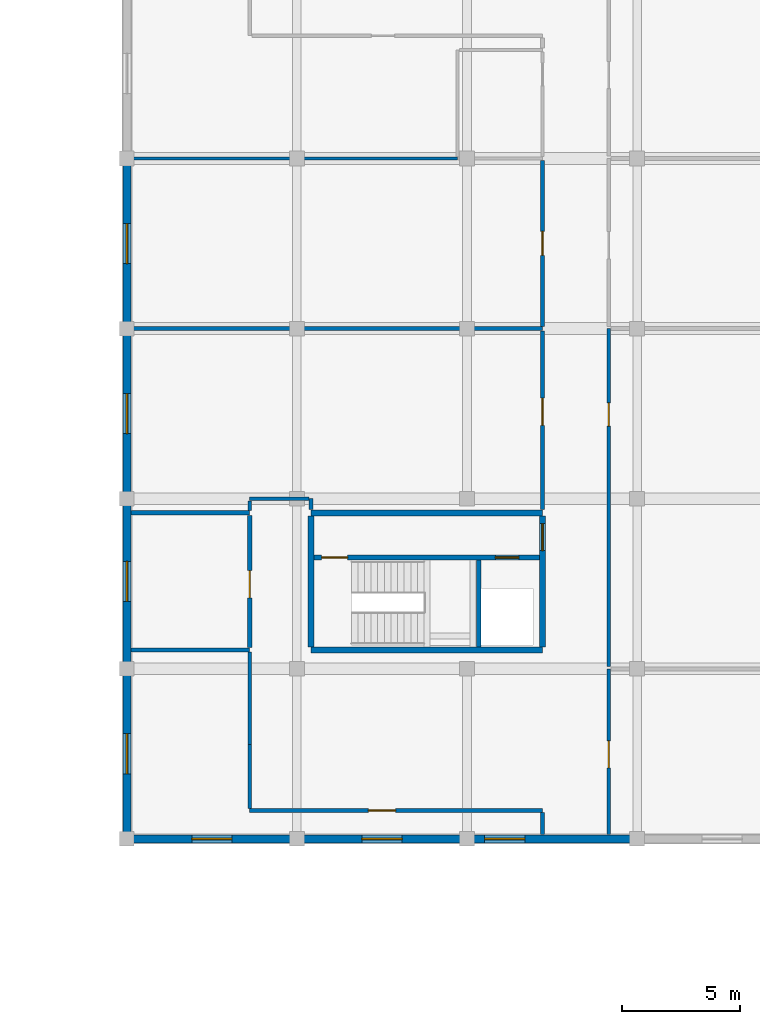
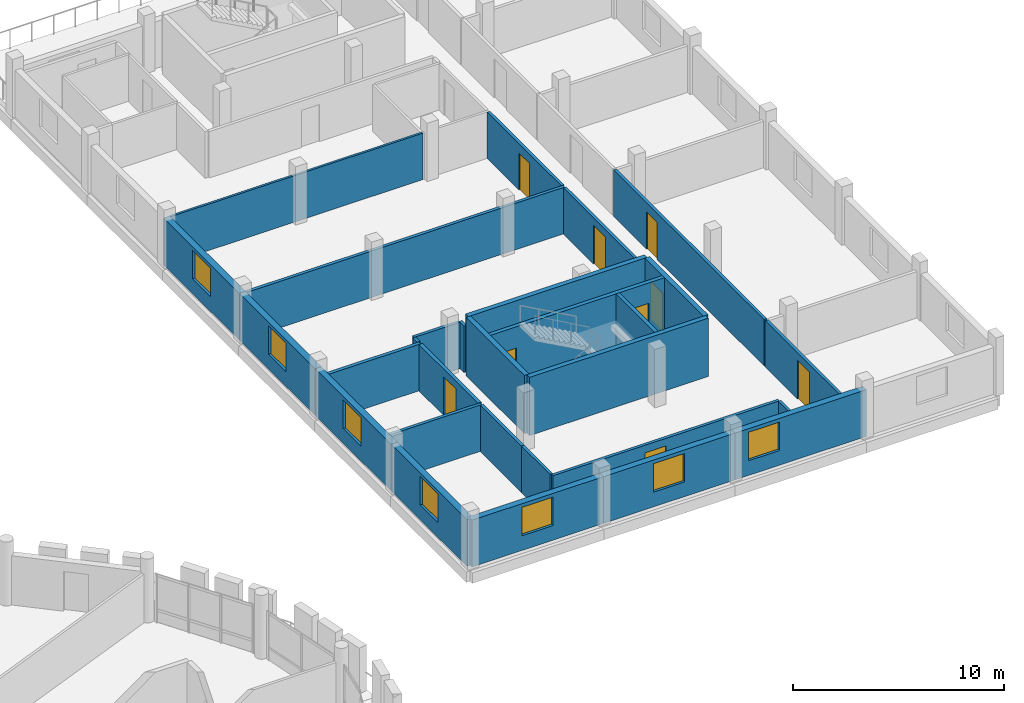
# One storey, part 75 of 84: 29 walls, 9 doors, 7 windows, 16 openings.
"""IFC4 building model written with IfcOpenShell, lengths in metres."""

from ifc_helpers import new_model, si_unit, direction, frame, frame_2d, origin, place, context, subcontext, project, spatial, rectangle, extrude, material, layer, layer_set, type_object, element, fill, save


model = new_model("IFC4")

# Units and contexts
model_context = context("Model", 3, precision=1e-05, world=origin(), true_north=direction((0.0, 1.0)))
body_context = subcontext(model_context, "Body", "Model", "MODEL_VIEW")
ifc_project = project(units=[si_unit("LENGTHUNIT", "METRE"), si_unit("AREAUNIT", "SQUARE_METRE"), si_unit("VOLUMEUNIT", "CUBIC_METRE"), si_unit("PLANEANGLEUNIT", "RADIAN"), si_unit("MASSUNIT", "GRAM", prefix="KILO")], contexts=[model_context])

# Site, building, storey
site_placement = place(None, origin())
site = spatial("IfcSite", under=ifc_project, at=site_placement, CompositionType="ELEMENT")
building_placement = place(site_placement, origin())
building = spatial("IfcBuilding", under=site, at=building_placement, Name="Zornivar Specialist Clinic", CompositionType="ELEMENT")
storey_placement = place(building_placement, frame((0.0, 0.0, 12.300048828125)))
storey = spatial("IfcBuildingStorey", under=building, at=storey_placement, Name="L03", CompositionType="ELEMENT", Elevation=12.300048828125)

# Wall, opening, window
ifc_material_1 = material(Name="Masonry Laboratory Terracotta and Stone Cavity Wall", Category="masonry")
ifc_layer_1 = layer(ifc_material_1, 0.340087890625)
ifc_layer_set_1 = layer_set([ifc_layer_1], Name="Masonry Laboratory Terracotta and Stone Cavity Wall")
wall_type_1 = type_object("IfcWallType", Name="EW-LAB-340", PredefinedType="SOLIDWALL", material=ifc_layer_set_1)
wall_1_placement = place(storey_placement, frame((136.800048828125, 64.800048828125, 0.0), z_axis=(0.0, 0.0, 1.0), x_axis=(1.0, 0.0, 0.0)))
wall_1 = element("IfcWall", 1, at=wall_1_placement, inside=storey, type_object=wall_type_1, Name="ew:V6:L03:00", PredefinedType="SOLIDWALL", context=body_context, shape_type="SweptSolid", body=[
    extrude(rectangle(XDim=7.199951171875, YDim=0.340087890625, at=frame_2d((3.60009765625, 0.0))), origin(), (0.0, 0.0, 1.0), 2.7099609375),
])
opening_1_placement = place(wall_1_placement, frame((2.75, 0.0, 0.85009765625)))
opening_1 = element("IfcOpeningElement", 2, at=opening_1_placement, cuts=wall_1, Name="Opening W-21", PredefinedType="OPENING", context=body_context, shape_type="SweptSolid", body=[
    extrude(rectangle(XDim=1.699951171875, YDim=1.64990234375, at=frame_2d((0.85009765625, 0.824951171875))), frame((0.0, 0.179931640625, 0.0), z_axis=(0.0, -1.0, 0.0), x_axis=(1.0, 0.0, 0.0)), (0.0, 0.0, 1.0), 0.360107421875),
])
ifc_material_2 = material(Name="Triple-Glazed Aluminium-Timber Window Glass", Category="wood")
window_type = type_object("IfcWindowType", Name="WIN-LAB-UPPER-1700x1650", PartitioningType="SINGLE_PANEL", PredefinedType="WINDOW", material=ifc_material_2)
window_1_placement = place(opening_1_placement, origin())
window_1 = element("IfcWindow", 3, at=window_1_placement, inside=storey, type_object=window_type, Name="win:V6:L03:00", OverallHeight=1.64990234375, OverallWidth=1.699951171875, PartitioningType="SINGLE_PANEL", PredefinedType="WINDOW", context=body_context, shape_type="SweptSolid", body=[
    extrude(rectangle(XDim=1.699951171875, YDim=1.64990234375, at=frame_2d((0.85009765625, 0.824951171875))), frame((0.0, 0.030029296875, 0.0), z_axis=(0.0, -1.0, 0.0), x_axis=(1.0, 0.0, 0.0)), (0.0, 0.0, 1.0), 0.06005859375),
])
fill(opening_1, window_1)

wall_2_placement = place(storey_placement, frame((144.0, 64.800048828125, 0.0), z_axis=(0.0, 0.0, 1.0), x_axis=(1.0, 0.0, 0.0)))
wall_2 = element("IfcWall", 4, at=wall_2_placement, inside=storey, type_object=wall_type_1, Name="ew:V6:L03:01", PredefinedType="SOLIDWALL", context=body_context, shape_type="SweptSolid", body=[
    extrude(rectangle(XDim=7.199951171875, YDim=0.340087890625, at=frame_2d((3.60009765625, 0.0))), origin(), (0.0, 0.0, 1.0), 2.7099609375),
])
opening_2_placement = place(wall_2_placement, frame((2.75, 0.0, 0.85009765625)))
opening_2 = element("IfcOpeningElement", 5, at=opening_2_placement, cuts=wall_2, Name="Opening W-21", PredefinedType="OPENING", context=body_context, shape_type="SweptSolid", body=[
    extrude(rectangle(XDim=1.699951171875, YDim=1.64990234375, at=frame_2d((0.85009765625, 0.824951171875))), frame((0.0, 0.179931640625, 0.0), z_axis=(0.0, -1.0, 0.0), x_axis=(1.0, 0.0, 0.0)), (0.0, 0.0, 1.0), 0.360107421875),
])
window_2_placement = place(opening_2_placement, origin())
window_2 = element("IfcWindow", 6, at=window_2_placement, inside=storey, type_object=window_type, Name="win:V6:L03:01", OverallHeight=1.64990234375, OverallWidth=1.699951171875, PartitioningType="SINGLE_PANEL", PredefinedType="WINDOW", context=body_context, shape_type="SweptSolid", body=[
    extrude(rectangle(XDim=1.699951171875, YDim=1.64990234375, at=frame_2d((0.85009765625, 0.824951171875))), frame((0.0, 0.030029296875, 0.0), z_axis=(0.0, -1.0, 0.0), x_axis=(1.0, 0.0, 0.0)), (0.0, 0.0, 1.0), 0.06005859375),
])
fill(opening_2, window_2)

wall_3_placement = place(storey_placement, frame((151.199951171875, 64.800048828125, 0.0), z_axis=(0.0, 0.0, 1.0), x_axis=(1.0, 0.0, 0.0)))
wall_3 = element("IfcWall", 7, at=wall_3_placement, inside=storey, type_object=wall_type_1, Name="ew:V6:L03:02", PredefinedType="SOLIDWALL", context=body_context, shape_type="SweptSolid", body=[
    extrude(rectangle(XDim=7.199951171875, YDim=0.340087890625, at=frame_2d((3.60009765625, 0.0))), origin(), (0.0, 0.0, 1.0), 2.7099609375),
])
opening_3_placement = place(wall_3_placement, frame((0.75, 0.0, 0.85009765625)))
opening_3 = element("IfcOpeningElement", 8, at=opening_3_placement, cuts=wall_3, Name="Opening W-21", PredefinedType="OPENING", context=body_context, shape_type="SweptSolid", body=[
    extrude(rectangle(XDim=1.699951171875, YDim=1.64990234375, at=frame_2d((0.85009765625, 0.824951171875))), frame((0.0, 0.179931640625, 0.0), z_axis=(0.0, -1.0, 0.0), x_axis=(1.0, 0.0, 0.0)), (0.0, 0.0, 1.0), 0.360107421875),
])
window_3_placement = place(opening_3_placement, origin())
window_3 = element("IfcWindow", 9, at=window_3_placement, inside=storey, type_object=window_type, Name="win:V6:L03:02", OverallHeight=1.64990234375, OverallWidth=1.699951171875, PartitioningType="SINGLE_PANEL", PredefinedType="WINDOW", context=body_context, shape_type="SweptSolid", body=[
    extrude(rectangle(XDim=1.699951171875, YDim=1.64990234375, at=frame_2d((0.85009765625, 0.824951171875))), frame((0.0, 0.030029296875, 0.0), z_axis=(0.0, -1.0, 0.0), x_axis=(1.0, 0.0, 0.0)), (0.0, 0.0, 1.0), 0.06005859375),
])
fill(opening_3, window_3)

wall_4_placement = place(storey_placement, frame((136.800048828125, 93.60009765625, 0.0), z_axis=(0.0, 0.0, 1.0), x_axis=(0.0, -1.0, 0.0)))
wall_4 = element("IfcWall", 10, at=wall_4_placement, inside=storey, type_object=wall_type_1, Name="ew:V6:L03:16", PredefinedType="SOLIDWALL", context=body_context, shape_type="SweptSolid", body=[
    extrude(rectangle(XDim=7.2001953125, YDim=0.340087890625, at=frame_2d((3.60009765625, 0.0))), origin(), (0.0, 0.0, 1.0), 2.7099609375),
])
opening_4_placement = place(wall_4_placement, frame((2.75, 0.0, 0.85009765625)))
opening_4 = element("IfcOpeningElement", 11, at=opening_4_placement, cuts=wall_4, Name="Opening W-21", PredefinedType="OPENING", context=body_context, shape_type="SweptSolid", body=[
    extrude(rectangle(XDim=1.699951171875, YDim=1.64990234375, at=frame_2d((0.85009765625, 0.824951171875))), frame((0.0, 0.179931640625, 0.0), z_axis=(0.0, -1.0, 0.0), x_axis=(1.0, 0.0, 0.0)), (0.0, 0.0, 1.0), 0.360107421875),
])
window_4_placement = place(opening_4_placement, origin())
window_4 = element("IfcWindow", 12, at=window_4_placement, inside=storey, type_object=window_type, Name="win:V6:L03:16", OverallHeight=1.64990234375, OverallWidth=1.699951171875, PartitioningType="SINGLE_PANEL", PredefinedType="WINDOW", context=body_context, shape_type="SweptSolid", body=[
    extrude(rectangle(XDim=1.699951171875, YDim=1.64990234375, at=frame_2d((0.85009765625, 0.824951171875))), frame((0.0, 0.030029296875, 0.0), z_axis=(0.0, -1.0, 0.0), x_axis=(1.0, 0.0, 0.0)), (0.0, 0.0, 1.0), 0.06005859375),
])
fill(opening_4, window_4)

wall_5_placement = place(storey_placement, frame((136.800048828125, 86.39990234375, 0.0), z_axis=(0.0, 0.0, 1.0), x_axis=(0.0, -1.0, 0.0)))
wall_5 = element("IfcWall", 13, at=wall_5_placement, inside=storey, type_object=wall_type_1, Name="ew:V6:L03:17", PredefinedType="SOLIDWALL", context=body_context, shape_type="SweptSolid", body=[
    extrude(rectangle(XDim=7.199951171875, YDim=0.340087890625, at=frame_2d((3.60009765625, 0.0))), origin(), (0.0, 0.0, 1.0), 2.7099609375),
])
opening_5_placement = place(wall_5_placement, frame((2.75, 0.0, 0.85009765625)))
opening_5 = element("IfcOpeningElement", 14, at=opening_5_placement, cuts=wall_5, Name="Opening W-21", PredefinedType="OPENING", context=body_context, shape_type="SweptSolid", body=[
    extrude(rectangle(XDim=1.699951171875, YDim=1.64990234375, at=frame_2d((0.85009765625, 0.824951171875))), frame((0.0, 0.179931640625, 0.0), z_axis=(0.0, -1.0, 0.0), x_axis=(1.0, 0.0, 0.0)), (0.0, 0.0, 1.0), 0.360107421875),
])
window_5_placement = place(opening_5_placement, origin())
window_5 = element("IfcWindow", 15, at=window_5_placement, inside=storey, type_object=window_type, Name="win:V6:L03:17", OverallHeight=1.64990234375, OverallWidth=1.699951171875, PartitioningType="SINGLE_PANEL", PredefinedType="WINDOW", context=body_context, shape_type="SweptSolid", body=[
    extrude(rectangle(XDim=1.699951171875, YDim=1.64990234375, at=frame_2d((0.85009765625, 0.824951171875))), frame((0.0, 0.030029296875, 0.0), z_axis=(0.0, -1.0, 0.0), x_axis=(1.0, 0.0, 0.0)), (0.0, 0.0, 1.0), 0.06005859375),
])
fill(opening_5, window_5)

wall_6_placement = place(storey_placement, frame((136.800048828125, 79.199951171875, 0.0), z_axis=(0.0, 0.0, 1.0), x_axis=(0.0, -1.0, 0.0)))
wall_6 = element("IfcWall", 16, at=wall_6_placement, inside=storey, type_object=wall_type_1, Name="ew:V6:L03:18", PredefinedType="SOLIDWALL", context=body_context, shape_type="SweptSolid", body=[
    extrude(rectangle(XDim=7.199951171875, YDim=0.340087890625, at=frame_2d((3.60009765625, 0.0))), origin(), (0.0, 0.0, 1.0), 2.7099609375),
])
opening_6_placement = place(wall_6_placement, frame((2.64990234375, 0.0, 0.85009765625)))
opening_6 = element("IfcOpeningElement", 17, at=opening_6_placement, cuts=wall_6, Name="Opening W-21", PredefinedType="OPENING", context=body_context, shape_type="SweptSolid", body=[
    extrude(rectangle(XDim=1.699951171875, YDim=1.64990234375, at=frame_2d((0.85009765625, 0.824951171875))), frame((0.0, 0.179931640625, 0.0), z_axis=(0.0, -1.0, 0.0), x_axis=(1.0, 0.0, 0.0)), (0.0, 0.0, 1.0), 0.360107421875),
])
window_6_placement = place(opening_6_placement, origin())
window_6 = element("IfcWindow", 18, at=window_6_placement, inside=storey, type_object=window_type, Name="win:V6:L03:18", OverallHeight=1.64990234375, OverallWidth=1.699951171875, PartitioningType="SINGLE_PANEL", PredefinedType="WINDOW", context=body_context, shape_type="SweptSolid", body=[
    extrude(rectangle(XDim=1.699951171875, YDim=1.64990234375, at=frame_2d((0.85009765625, 0.824951171875))), frame((0.0, 0.030029296875, 0.0), z_axis=(0.0, -1.0, 0.0), x_axis=(1.0, 0.0, 0.0)), (0.0, 0.0, 1.0), 0.06005859375),
])
fill(opening_6, window_6)

wall_7_placement = place(storey_placement, frame((136.800048828125, 72.0, 0.0), z_axis=(0.0, 0.0, 1.0), x_axis=(0.0, -1.0, 0.0)))
wall_7 = element("IfcWall", 19, at=wall_7_placement, inside=storey, type_object=wall_type_1, Name="ew:V6:L03:19", PredefinedType="SOLIDWALL", context=body_context, shape_type="SweptSolid", body=[
    extrude(rectangle(XDim=7.199951171875, YDim=0.340087890625, at=frame_2d((3.60009765625, 0.0))), origin(), (0.0, 0.0, 1.0), 2.7099609375),
])
opening_7_placement = place(wall_7_placement, frame((2.75, 0.0, 0.85009765625)))
opening_7 = element("IfcOpeningElement", 20, at=opening_7_placement, cuts=wall_7, Name="Opening W-21", PredefinedType="OPENING", context=body_context, shape_type="SweptSolid", body=[
    extrude(rectangle(XDim=1.699951171875, YDim=1.64990234375, at=frame_2d((0.85009765625, 0.824951171875))), frame((0.0, 0.179931640625, 0.0), z_axis=(0.0, -1.0, 0.0), x_axis=(1.0, 0.0, 0.0)), (0.0, 0.0, 1.0), 0.360107421875),
])
window_7_placement = place(opening_7_placement, origin())
window_7 = element("IfcWindow", 21, at=window_7_placement, inside=storey, type_object=window_type, Name="win:V6:L03:19", OverallHeight=1.64990234375, OverallWidth=1.699951171875, PartitioningType="SINGLE_PANEL", PredefinedType="WINDOW", context=body_context, shape_type="SweptSolid", body=[
    extrude(rectangle(XDim=1.699951171875, YDim=1.64990234375, at=frame_2d((0.85009765625, 0.824951171875))), frame((0.0, 0.030029296875, 0.0), z_axis=(0.0, -1.0, 0.0), x_axis=(1.0, 0.0, 0.0)), (0.0, 0.0, 1.0), 0.06005859375),
])
fill(opening_7, window_7)

# Wall, opening, door
ifc_material_3 = material(Name="Gypsum Fire-Rated Double Stud Partition")
ifc_layer_2 = layer(ifc_material_3, 0.159912109375)
ifc_layer_set_2 = layer_set([ifc_layer_2], Name="Gypsum Fire-Rated Double Stud Partition")
wall_type_2 = type_object("IfcWallType", Name="IW-CORR-EI60-160", PredefinedType="PARTITIONING", material=ifc_layer_set_2)
wall_8_placement = place(storey_placement, frame((142.0, 66.0, 0.0), z_axis=(0.0, 0.0, 1.0), x_axis=(1.0, 0.0, 0.0)))
wall_8 = element("IfcWall", 22, at=wall_8_placement, inside=storey, type_object=wall_type_2, Name="iw:L03:094", PredefinedType="PARTITIONING", context=body_context, shape_type="SweptSolid", body=[
    extrude(rectangle(XDim=12.39990234375, YDim=0.159912109375, at=frame_2d((6.199951171875, 0.0))), origin(), (0.0, 0.0, 1.0), 2.68994140625),
])
opening_8_placement = place(wall_8_placement, frame((5.027099609375, 0.0, 0.0)))
opening_8 = element("IfcOpeningElement", 23, at=opening_8_placement, cuts=wall_8, Name="Opening ID-06", PredefinedType="OPENING", context=body_context, shape_type="SweptSolid", body=[
    extrude(rectangle(XDim=1.14990234375, YDim=2.25, at=frame_2d((0.574951171875, 1.125))), frame((0.0, 0.08984375, 0.0), z_axis=(0.0, -1.0, 0.0), x_axis=(1.0, 0.0, 0.0)), (0.0, 0.0, 1.0), 0.179931640625),
])
ifc_material_4 = material(Name="Solid-Core Hygienic Laminate Timber Door", Category="wood")
door_type_1 = type_object("IfcDoorType", Name="ID-LAB-1150x2250", OperationType="NOTDEFINED", PredefinedType="DOOR", material=ifc_material_4)
door_1_placement = place(opening_8_placement, origin())
door_1 = element("IfcDoor", 24, at=door_1_placement, inside=storey, type_object=door_type_1, Name="door:space:V6:L03:rm:00", OperationType="SINGLE_SWING_LEFT", OverallHeight=2.25, OverallWidth=1.14990234375, PredefinedType="DOOR", context=body_context, shape_type="SweptSolid", body=[
    extrude(rectangle(XDim=1.14990234375, YDim=2.25, at=frame_2d((0.574951171875, 1.125))), frame((0.0, 0.02490234375, 0.0), z_axis=(0.0, -1.0, 0.0), x_axis=(1.0, 0.0, 0.0)), (0.0, 0.0, 1.0), 0.050048828125),
])
fill(opening_8, door_1)

# Walls
wall_9_placement = place(storey_placement, frame((154.39990234375, 65.906005859375, 0.0), z_axis=(0.0, 0.0, 1.0), x_axis=(0.0, -1.0, 0.0)))
element("IfcWall", 25, at=wall_9_placement, inside=storey, type_object=wall_type_2, Name="iw:L03:095", PredefinedType="PARTITIONING", context=body_context, shape_type="SweptSolid", body=[
    extrude(rectangle(XDim=0.9208984375, YDim=0.159912109375, at=frame_2d((0.46044921875, 0.0))), origin(), (0.0, 0.0, 1.0), 2.68994140625),
])
wall_10_placement = place(storey_placement, frame((142.0, 72.700927734375, 0.0), z_axis=(0.0, 0.0, 1.0), x_axis=(0.0, -1.0, 0.0)))
element("IfcWall", 26, at=wall_10_placement, inside=storey, type_object=wall_type_2, Name="iw:L03:097", PredefinedType="PARTITIONING", context=body_context, shape_type="SweptSolid", body=[
    extrude(rectangle(XDim=3.90087890625, YDim=0.159912109375, at=frame_2d((1.950439453125, 0.0))), origin(), (0.0, 0.0, 1.0), 2.68994140625),
])
wall_11_placement = place(storey_placement, frame((142.0, 68.7880859375, 0.0), z_axis=(0.0, 0.0, 1.0), x_axis=(0.0, -1.0, 0.0)))
element("IfcWall", 27, at=wall_11_placement, inside=storey, type_object=wall_type_2, Name="iw:L03:098", PredefinedType="PARTITIONING", context=body_context, shape_type="SweptSolid", body=[
    extrude(rectangle(XDim=2.694091796875, YDim=0.159912109375, at=frame_2d((1.34716796875, 0.0))), origin(), (0.0, 0.0, 1.0), 2.68994140625),
])
wall_12_placement = place(storey_placement, frame((144.60009765625, 78.7451171875, 0.0), z_axis=(0.0, 0.0, 1.0), x_axis=(0.0, 1.0, 0.0)))
element("IfcWall", 28, at=wall_12_placement, inside=storey, type_object=wall_type_2, Name="iw:L03:101", PredefinedType="PARTITIONING", context=body_context, shape_type="SweptSolid", body=[
    extrude(rectangle(XDim=0.454833984375, YDim=0.159912109375, at=frame_2d((0.2275390625, 0.0))), origin(), (0.0, 0.0, 1.0), 2.68994140625),
])
wall_13_placement = place(storey_placement, frame((144.506103515625, 79.199951171875, 0.0), z_axis=(0.0, 0.0, 1.0), x_axis=(-1.0, 0.0, 0.0)))
element("IfcWall", 29, at=wall_13_placement, inside=storey, type_object=wall_type_2, Name="iw:L03:102", PredefinedType="PARTITIONING", context=body_context, shape_type="SweptSolid", body=[
    extrude(rectangle(XDim=2.506103515625, YDim=0.159912109375, at=frame_2d((1.2529296875, 0.0))), origin(), (0.0, 0.0, 1.0), 2.68994140625),
])
wall_14_placement = place(storey_placement, frame((142.0, 79.10595703125, 0.0), z_axis=(0.0, 0.0, 1.0), x_axis=(0.0, -1.0, 0.0)))
element("IfcWall", 30, at=wall_14_placement, inside=storey, type_object=wall_type_2, Name="iw:L03:103", PredefinedType="PARTITIONING", context=body_context, shape_type="SweptSolid", body=[
    extrude(rectangle(XDim=0.39697265625, YDim=0.159912109375, at=frame_2d((0.198486328125, 0.0))), origin(), (0.0, 0.0, 1.0), 2.68994140625),
])

# Wall, opening, door
wall_15_placement = place(storey_placement, frame((154.39990234375, 86.301025390625, 0.0), z_axis=(0.0, 0.0, 1.0), x_axis=(0.0, -1.0, 0.0)))
wall_15 = element("IfcWall", 31, at=wall_15_placement, inside=storey, type_object=wall_type_2, Name="iw:L03:105", PredefinedType="PARTITIONING", context=body_context, shape_type="SweptSolid", body=[
    extrude(rectangle(XDim=7.555908203125, YDim=0.159912109375, at=frame_2d((3.77783203125, 0.0))), origin(), (0.0, 0.0, 1.0), 2.68994140625),
])
opening_9_placement = place(wall_15_placement, frame((2.847900390625, 0.0, 0.0)))
opening_9 = element("IfcOpeningElement", 32, at=opening_9_placement, cuts=wall_15, Name="Opening ID-06", PredefinedType="OPENING", context=body_context, shape_type="SweptSolid", body=[
    extrude(rectangle(XDim=1.14990234375, YDim=2.25, at=frame_2d((0.574951171875, 1.125))), frame((0.0, 0.08984375, 0.0), z_axis=(0.0, -1.0, 0.0), x_axis=(1.0, 0.0, 0.0)), (0.0, 0.0, 1.0), 0.179931640625),
])
door_2_placement = place(opening_9_placement, origin())
door_2 = element("IfcDoor", 33, at=door_2_placement, inside=storey, type_object=door_type_1, Name="door:space:V6:L03:rm:02", OperationType="SINGLE_SWING_LEFT", OverallHeight=2.25, OverallWidth=1.14990234375, PredefinedType="DOOR", context=body_context, shape_type="SweptSolid", body=[
    extrude(rectangle(XDim=1.14990234375, YDim=2.25, at=frame_2d((0.574951171875, 1.125))), frame((0.0, 0.02490234375, 0.0), z_axis=(0.0, -1.0, 0.0), x_axis=(1.0, 0.0, 0.0)), (0.0, 0.0, 1.0), 0.050048828125),
])
fill(opening_9, door_2)

wall_16_placement = place(storey_placement, frame((154.39990234375, 93.52099609375, 0.0), z_axis=(0.0, 0.0, 1.0), x_axis=(0.0, -1.0, 0.0)))
wall_16 = element("IfcWall", 34, at=wall_16_placement, inside=storey, type_object=wall_type_2, Name="iw:L03:108", PredefinedType="PARTITIONING", context=body_context, shape_type="SweptSolid", body=[
    extrude(rectangle(XDim=7.02197265625, YDim=0.159912109375, at=frame_2d((3.510986328125, 0.0))), origin(), (0.0, 0.0, 1.0), 2.68994140625),
])
opening_10_placement = place(wall_16_placement, frame((3.0009765625, 0.0, 0.0)))
opening_10 = element("IfcOpeningElement", 35, at=opening_10_placement, cuts=wall_16, Name="Opening ID-14", PredefinedType="OPENING", context=body_context, shape_type="SweptSolid", body=[
    extrude(rectangle(XDim=1.02001953125, YDim=2.14990234375, at=frame_2d((0.510009765625, 1.074951171875))), frame((0.0, 0.08984375, 0.0), z_axis=(0.0, -1.0, 0.0), x_axis=(1.0, 0.0, 0.0)), (0.0, 0.0, 1.0), 0.179931640625),
])
ifc_material_5 = material(Name="Solid-Core Hygienic Laminate Timber Door", Category="wood")
door_type_2 = type_object("IfcDoorType", Name="ID-OFFICE-1020x2150", OperationType="NOTDEFINED", PredefinedType="DOOR", material=ifc_material_5)
door_3_placement = place(opening_10_placement, origin())
door_3 = element("IfcDoor", 36, at=door_3_placement, inside=storey, type_object=door_type_2, Name="door:space:V6:L03:rm:03", OperationType="SINGLE_SWING_RIGHT", OverallHeight=2.14990234375, OverallWidth=1.02001953125, PredefinedType="DOOR", context=body_context, shape_type="SweptSolid", body=[
    extrude(rectangle(XDim=1.02001953125, YDim=2.14990234375, at=frame_2d((0.510009765625, 1.074951171875))), frame((0.0, 0.02490234375, 0.0), z_axis=(0.0, -1.0, 0.0), x_axis=(1.0, 0.0, 0.0)), (0.0, 0.0, 1.0), 0.050048828125),
])
fill(opening_10, door_3)

wall_17_placement = place(storey_placement, frame((157.199951171875, 64.985107421875, 0.0), z_axis=(0.0, 0.0, 1.0), x_axis=(0.0, 1.0, 0.0)))
wall_17 = element("IfcWall", 37, at=wall_17_placement, inside=storey, type_object=wall_type_2, Name="iw:L03:122", PredefinedType="PARTITIONING", context=body_context, shape_type="SweptSolid", body=[
    extrude(rectangle(XDim=7.014892578125, YDim=0.159912109375, at=frame_2d((3.50732421875, 0.0))), origin(), (0.0, 0.0, 1.0), 2.68994140625),
])
opening_11_placement = place(wall_17_placement, frame((2.81591796875, 0.0, 0.0)))
opening_11 = element("IfcOpeningElement", 38, at=opening_11_placement, cuts=wall_17, Name="Opening ID-06", PredefinedType="OPENING", context=body_context, shape_type="SweptSolid", body=[
    extrude(rectangle(XDim=1.14990234375, YDim=2.25, at=frame_2d((0.574951171875, 1.125))), frame((0.0, 0.08984375, 0.0), z_axis=(0.0, -1.0, 0.0), x_axis=(1.0, 0.0, 0.0)), (0.0, 0.0, 1.0), 0.179931640625),
])
door_4_placement = place(opening_11_placement, origin())
door_4 = element("IfcDoor", 39, at=door_4_placement, inside=storey, type_object=door_type_1, Name="door:space:V6:L03:rm:08", OperationType="SINGLE_SWING_LEFT", OverallHeight=2.25, OverallWidth=1.14990234375, PredefinedType="DOOR", context=body_context, shape_type="SweptSolid", body=[
    extrude(rectangle(XDim=1.14990234375, YDim=2.25, at=frame_2d((0.574951171875, 1.125))), frame((0.0, 0.02490234375, 0.0), z_axis=(0.0, -1.0, 0.0), x_axis=(1.0, 0.0, 0.0)), (0.0, 0.0, 1.0), 0.050048828125),
])
fill(opening_11, door_4)

wall_18_placement = place(storey_placement, frame((157.199951171875, 72.09912109375, 0.0), z_axis=(0.0, 0.0, 1.0), x_axis=(0.0, 1.0, 0.0)))
wall_18 = element("IfcWall", 40, at=wall_18_placement, inside=storey, type_object=wall_type_2, Name="iw:L03:124", PredefinedType="PARTITIONING", context=body_context, shape_type="SweptSolid", body=[
    extrude(rectangle(XDim=14.30078125, YDim=0.159912109375, at=frame_2d((7.150390625, 0.0))), origin(), (0.0, 0.0, 1.0), 2.68994140625),
])
opening_12_placement = place(wall_18_placement, frame((10.175048828125, 0.0, 0.0)))
opening_12 = element("IfcOpeningElement", 41, at=opening_12_placement, cuts=wall_18, Name="Opening ID-09", PredefinedType="OPENING", context=body_context, shape_type="SweptSolid", body=[
    extrude(rectangle(XDim=0.97998046875, YDim=2.14990234375, at=frame_2d((0.489990234375, 1.074951171875))), frame((0.0, 0.08984375, 0.0), z_axis=(0.0, -1.0, 0.0), x_axis=(1.0, 0.0, 0.0)), (0.0, 0.0, 1.0), 0.179931640625),
])
ifc_material_6 = material(Name="Solid-Core Hygienic Laminate Timber Door", Category="wood")
door_type_3 = type_object("IfcDoorType", Name="ID-STAFF-0980x2150", OperationType="NOTDEFINED", PredefinedType="DOOR", material=ifc_material_6)
door_5_placement = place(opening_12_placement, origin())
door_5 = element("IfcDoor", 42, at=door_5_placement, inside=storey, type_object=door_type_3, Name="door:space:V6:L03:rm:09", OperationType="SINGLE_SWING_RIGHT", OverallHeight=2.14990234375, OverallWidth=0.97998046875, PredefinedType="DOOR", context=body_context, shape_type="SweptSolid", body=[
    extrude(rectangle(XDim=0.97998046875, YDim=2.14990234375, at=frame_2d((0.489990234375, 1.074951171875))), frame((0.0, 0.02490234375, 0.0), z_axis=(0.0, -1.0, 0.0), x_axis=(1.0, 0.0, 0.0)), (0.0, 0.0, 1.0), 0.050048828125),
])
fill(opening_12, door_5)

# Walls
ifc_material_7 = material(Name="Acoustic Glazed Consultation Partition")
ifc_layer_3 = layer(ifc_material_7, 0.1201171875)
ifc_layer_set_3 = layer_set([ifc_layer_3], Name="Acoustic Glazed Consultation Partition")
wall_type_3 = type_object("IfcWallType", Name="IW-GLAZ-120", PredefinedType="PARTITIONING", material=ifc_layer_set_3)
wall_19_placement = place(storey_placement, frame((136.985107421875, 93.60009765625, 0.0), z_axis=(0.0, 0.0, 1.0), x_axis=(1.0, 0.0, 0.0)))
element("IfcWall", 43, at=wall_19_placement, inside=storey, type_object=wall_type_3, Name="iw:L03:106", PredefinedType="PARTITIONING", context=body_context, shape_type="SweptSolid", body=[
    extrude(rectangle(XDim=13.81494140625, YDim=0.1201171875, at=frame_2d((6.907470703125, 0.0))), origin(), (0.0, 0.0, 1.0), 2.68994140625),
])
ifc_material_8 = material(Name="Laboratory Chemical-Resistant Stud Partition")
ifc_layer_4 = layer(ifc_material_8, 0.169921875)
ifc_layer_set_4 = layer_set([ifc_layer_4], Name="Laboratory Chemical-Resistant Stud Partition")
wall_type_4 = type_object("IfcWallType", Name="IW-LAB-EI60-170", PredefinedType="PARTITIONING", material=ifc_layer_set_4)
wall_20_placement = place(storey_placement, frame((136.985107421875, 72.800048828125, 0.0), z_axis=(0.0, 0.0, 1.0), x_axis=(1.0, 0.0, 0.0)))
element("IfcWall", 44, at=wall_20_placement, inside=storey, type_object=wall_type_4, Name="iw:L03:096", PredefinedType="PARTITIONING", context=body_context, shape_type="SweptSolid", body=[
    extrude(rectangle(XDim=5.014892578125, YDim=0.169921875, at=frame_2d((2.50732421875, 0.0))), origin(), (0.0, 0.0, 1.0), 2.68994140625),
])
wall_21_placement = place(storey_placement, frame((136.985107421875, 86.39990234375, 0.0), z_axis=(0.0, 0.0, 1.0), x_axis=(1.0, 0.0, 0.0)))
element("IfcWall", 45, at=wall_21_placement, inside=storey, type_object=wall_type_4, Name="iw:L03:104", PredefinedType="PARTITIONING", context=body_context, shape_type="SweptSolid", body=[
    extrude(rectangle(XDim=17.414794921875, YDim=0.169921875, at=frame_2d((8.70751953125, 0.0))), origin(), (0.0, 0.0, 1.0), 2.68994140625),
])
ifc_material_9 = material(Name="GMP Cleanroom Insulated Double Partition")
ifc_layer_5 = layer(ifc_material_9, 0.18994140625)
ifc_layer_set_5 = layer_set([ifc_layer_5], Name="GMP Cleanroom Insulated Double Partition")
wall_type_5 = type_object("IfcWallType", Name="IW-PHARM-GMP-190", PredefinedType="PARTITIONING", material=ifc_layer_set_5)
wall_22_placement = place(storey_placement, frame((136.985107421875, 78.60009765625, 0.0), z_axis=(0.0, 0.0, 1.0), x_axis=(1.0, 0.0, 0.0)))
element("IfcWall", 46, at=wall_22_placement, inside=storey, type_object=wall_type_5, Name="iw:L03:099", PredefinedType="PARTITIONING", context=body_context, shape_type="SweptSolid", body=[
    extrude(rectangle(XDim=5.014892578125, YDim=0.18994140625, at=frame_2d((2.50732421875, 0.0))), origin(), (0.0, 0.0, 1.0), 2.68994140625),
])

# Wall, opening, door
wall_23_placement = place(storey_placement, frame((142.0, 78.490966796875, 0.0), z_axis=(0.0, 0.0, 1.0), x_axis=(0.0, -1.0, 0.0)))
wall_23 = element("IfcWall", 47, at=wall_23_placement, inside=storey, type_object=wall_type_5, Name="iw:L03:100", PredefinedType="PARTITIONING", context=body_context, shape_type="SweptSolid", body=[
    extrude(rectangle(XDim=5.592041015625, YDim=0.18994140625, at=frame_2d((2.7958984375, 0.0))), origin(), (0.0, 0.0, 1.0), 2.68994140625),
])
opening_13_placement = place(wall_23_placement, frame((2.3369140625, 0.0, 0.0)))
opening_13 = element("IfcOpeningElement", 48, at=opening_13_placement, cuts=wall_23, Name="Opening ID-06", PredefinedType="OPENING", context=body_context, shape_type="SweptSolid", body=[
    extrude(rectangle(XDim=1.14990234375, YDim=2.25, at=frame_2d((0.574951171875, 1.125))), frame((0.0, 0.10498046875, 0.0), z_axis=(0.0, -1.0, 0.0), x_axis=(1.0, 0.0, 0.0)), (0.0, 0.0, 1.0), 0.2099609375),
])
door_6_placement = place(opening_13_placement, origin())
door_6 = element("IfcDoor", 49, at=door_6_placement, inside=storey, type_object=door_type_1, Name="door:space:V6:L03:rm:01", OperationType="SINGLE_SWING_RIGHT", OverallHeight=2.25, OverallWidth=1.14990234375, PredefinedType="DOOR", context=body_context, shape_type="SweptSolid", body=[
    extrude(rectangle(XDim=1.14990234375, YDim=2.25, at=frame_2d((0.574951171875, 1.125))), frame((0.0, 0.02490234375, 0.0), z_axis=(0.0, -1.0, 0.0), x_axis=(1.0, 0.0, 0.0)), (0.0, 0.0, 1.0), 0.050048828125),
])
fill(opening_13, door_6)

# Wall
ifc_material_10 = material(Name="Concrete C35/45", Category="concrete")
ifc_layer_6 = layer(ifc_material_10, 0.260009765625)
ifc_layer_set_6 = layer_set([ifc_layer_6], Name="Concrete C35/45")
wall_type_6 = type_object("IfcWallType", Name="SW-CORE-260", PredefinedType="SHEAR", material=ifc_layer_set_6)
wall_24_placement = place(storey_placement, frame((144.60009765625, 72.800048828125, 0.0), z_axis=(0.0, 0.0, 1.0), x_axis=(1.0, 0.0, 0.0)))
element("IfcWall", 50, at=wall_24_placement, inside=storey, type_object=wall_type_6, Name="sw:C9:L03:w0", PredefinedType="SHEAR", context=body_context, shape_type="SweptSolid", body=[
    extrude(rectangle(XDim=9.7998046875, YDim=0.260009765625, at=frame_2d((4.89990234375, 0.0))), origin(), (0.0, 0.0, 1.0), 3.3798828125),
])

# Wall, opening, door
wall_25_placement = place(storey_placement, frame((154.39990234375, 72.929931640625, 0.0), z_axis=(0.0, 0.0, 1.0), x_axis=(0.0, 1.0, 0.0)))
wall_25 = element("IfcWall", 51, at=wall_25_placement, inside=storey, type_object=wall_type_6, Name="sw:C9:L03:w1", PredefinedType="SHEAR", context=body_context, shape_type="SweptSolid", body=[
    extrude(rectangle(XDim=5.5400390625, YDim=0.260009765625, at=frame_2d((2.77001953125, 0.0))), origin(), (0.0, 0.0, 1.0), 3.3798828125),
])
opening_14_placement = place(wall_25_placement, frame((4.070068359375, 0.0, 0.0)))
opening_14 = element("IfcOpeningElement", 52, at=opening_14_placement, cuts=wall_25, Name="Opening FD-03", PredefinedType="OPENING", context=body_context, shape_type="SweptSolid", body=[
    extrude(rectangle(XDim=1.14990234375, YDim=2.199951171875, at=frame_2d((0.574951171875, 1.10009765625))), frame((0.0, 0.139892578125, 0.0), z_axis=(0.0, -1.0, 0.0), x_axis=(1.0, 0.0, 0.0)), (0.0, 0.0, 1.0), 0.280029296875),
])
ifc_material_11 = material(Name="Solid-Core Hygienic Laminate Timber Door", Category="wood")
door_type_4 = type_object("IfcDoorType", Name="FD-LOBBY-UPPER-1150x2200", OperationType="NOTDEFINED", PredefinedType="DOOR", material=ifc_material_11)
door_7_placement = place(opening_14_placement, origin())
door_7 = element("IfcDoor", 53, at=door_7_placement, inside=storey, type_object=door_type_4, Name="door:C9:L03:lob", OperationType="SINGLE_SWING_RIGHT", OverallHeight=2.199951171875, OverallWidth=1.14990234375, PredefinedType="DOOR", context=body_context, shape_type="SweptSolid", body=[
    extrude(rectangle(XDim=1.14990234375, YDim=2.199951171875, at=frame_2d((0.574951171875, 1.10009765625))), frame((0.0, 0.02490234375, 0.0), z_axis=(0.0, -1.0, 0.0), x_axis=(1.0, 0.0, 0.0)), (0.0, 0.0, 1.0), 0.050048828125),
])
fill(opening_14, door_7)

# Walls
wall_26_placement = place(storey_placement, frame((154.39990234375, 78.60009765625, 0.0), z_axis=(0.0, 0.0, 1.0), x_axis=(-1.0, 0.0, 0.0)))
element("IfcWall", 54, at=wall_26_placement, inside=storey, type_object=wall_type_6, Name="sw:C9:L03:w2", PredefinedType="SHEAR", context=body_context, shape_type="SweptSolid", body=[
    extrude(rectangle(XDim=9.7998046875, YDim=0.260009765625, at=frame_2d((4.89990234375, 0.0))), origin(), (0.0, 0.0, 1.0), 3.3798828125),
])
wall_27_placement = place(storey_placement, frame((144.60009765625, 78.469970703125, 0.0), z_axis=(0.0, 0.0, 1.0), x_axis=(0.0, -1.0, 0.0)))
element("IfcWall", 55, at=wall_27_placement, inside=storey, type_object=wall_type_6, Name="sw:C9:L03:w3", PredefinedType="SHEAR", context=body_context, shape_type="SweptSolid", body=[
    extrude(rectangle(XDim=5.5400390625, YDim=0.260009765625, at=frame_2d((2.77001953125, 0.0))), origin(), (0.0, 0.0, 1.0), 3.3798828125),
])
ifc_material_12 = material(Name="Concrete C30/37", Category="concrete")
ifc_layer_7 = layer(ifc_material_12, 0.199951171875)
ifc_layer_set_7 = layer_set([ifc_layer_7], Name="Concrete C30/37")
wall_type_7 = type_object("IfcWallType", Name="SW-LIFT-200", PredefinedType="SHEAR", material=ifc_layer_set_7)
wall_28_placement = place(storey_placement, frame((151.699951171875, 72.929931640625, 0.0), z_axis=(0.0, 0.0, 1.0), x_axis=(0.0, 1.0, 0.0)))
element("IfcWall", 56, at=wall_28_placement, inside=storey, type_object=wall_type_7, Name="sw:C9:L03:sdiv", PredefinedType="SHEAR", context=body_context, shape_type="SweptSolid", body=[
    extrude(rectangle(XDim=3.670166015625, YDim=0.199951171875, at=frame_2d((1.8349609375, 0.0))), origin(), (0.0, 0.0, 1.0), 3.3798828125),
])

# Wall, openings, doors
ifc_material_13 = material(Name="Concrete C30/37", Category="concrete")
ifc_layer_8 = layer(ifc_material_13, 0.219970703125)
ifc_layer_set_8 = layer_set([ifc_layer_8], Name="Concrete C30/37")
wall_type_8 = type_object("IfcWallType", Name="SW-SHAFT-220", PredefinedType="SHEAR", material=ifc_layer_set_8)
wall_29_placement = place(storey_placement, frame((144.72998046875, 76.7099609375, 0.0), z_axis=(0.0, 0.0, 1.0), x_axis=(1.0, 0.0, 0.0)))
wall_29 = element("IfcWall", 57, at=wall_29_placement, inside=storey, type_object=wall_type_8, Name="sw:C9:L03:stwall", PredefinedType="SHEAR", context=body_context, shape_type="SweptSolid", body=[
    extrude(rectangle(XDim=9.5400390625, YDim=0.219970703125, at=frame_2d((4.77001953125, 0.0))), origin(), (0.0, 0.0, 1.0), 3.3798828125),
])
opening_15_placement = place(wall_29_placement, frame((0.320068359375, 0.0, 0.0)))
opening_15 = element("IfcOpeningElement", 58, at=opening_15_placement, cuts=wall_29, Name="Opening FD-02", PredefinedType="OPENING", context=body_context, shape_type="SweptSolid", body=[
    extrude(rectangle(XDim=1.10009765625, YDim=2.14990234375, at=frame_2d((0.550048828125, 1.074951171875))), frame((0.0, 0.119873046875, 0.0), z_axis=(0.0, -1.0, 0.0), x_axis=(1.0, 0.0, 0.0)), (0.0, 0.0, 1.0), 0.239990234375),
])
opening_16_placement = place(wall_29_placement, frame((7.669921875, 0.0, 0.0)))
opening_16 = element("IfcOpeningElement", 59, at=opening_16_placement, cuts=wall_29, Name="Opening LD-02", PredefinedType="OPENING", context=body_context, shape_type="SweptSolid", body=[
    extrude(rectangle(XDim=1.0, YDim=2.199951171875, at=frame_2d((0.5, 1.10009765625))), frame((0.0, 0.119873046875, 0.0), z_axis=(0.0, -1.0, 0.0), x_axis=(1.0, 0.0, 0.0)), (0.0, 0.0, 1.0), 0.239990234375),
])
ifc_material_14 = material(Name="Solid-Core Hygienic Laminate Timber Door", Category="wood")
door_type_5 = type_object("IfcDoorType", Name="FD-STAIR-1100x2150", OperationType="NOTDEFINED", PredefinedType="DOOR", material=ifc_material_14)
door_8_placement = place(opening_15_placement, origin())
door_8 = element("IfcDoor", 60, at=door_8_placement, inside=storey, type_object=door_type_5, Name="door:C9:L03:stair", OperationType="SINGLE_SWING_LEFT", OverallHeight=2.14990234375, OverallWidth=1.10009765625, PredefinedType="DOOR", context=body_context, shape_type="SweptSolid", body=[
    extrude(rectangle(XDim=1.10009765625, YDim=2.14990234375, at=frame_2d((0.550048828125, 1.074951171875))), frame((0.0, 0.02490234375, 0.0), z_axis=(0.0, -1.0, 0.0), x_axis=(1.0, 0.0, 0.0)), (0.0, 0.0, 1.0), 0.050048828125),
])
fill(opening_15, door_8)
ifc_material_15 = material(Name="Stainless Steel Lift Landing Sliding Door", Category="steel")
door_type_6 = type_object("IfcDoorType", Name="LD-LIFT-1000x2200", OperationType="NOTDEFINED", PredefinedType="DOOR", material=ifc_material_15)
door_9_placement = place(opening_16_placement, origin())
door_9 = element("IfcDoor", 61, at=door_9_placement, inside=storey, type_object=door_type_6, Name="door:C9:L03:lift", OperationType="DOUBLE_DOOR_SLIDING", OverallHeight=2.199951171875, OverallWidth=1.0, PredefinedType="DOOR", context=body_context, shape_type="SweptSolid", body=[
    extrude(rectangle(XDim=1.0, YDim=2.199951171875, at=frame_2d((0.5, 1.10009765625))), frame((0.0, 0.02490234375, 0.0), z_axis=(0.0, -1.0, 0.0), x_axis=(1.0, 0.0, 0.0)), (0.0, 0.0, 1.0), 0.050048828125),
])
fill(opening_16, door_9)

save(model, "model.ifc")
